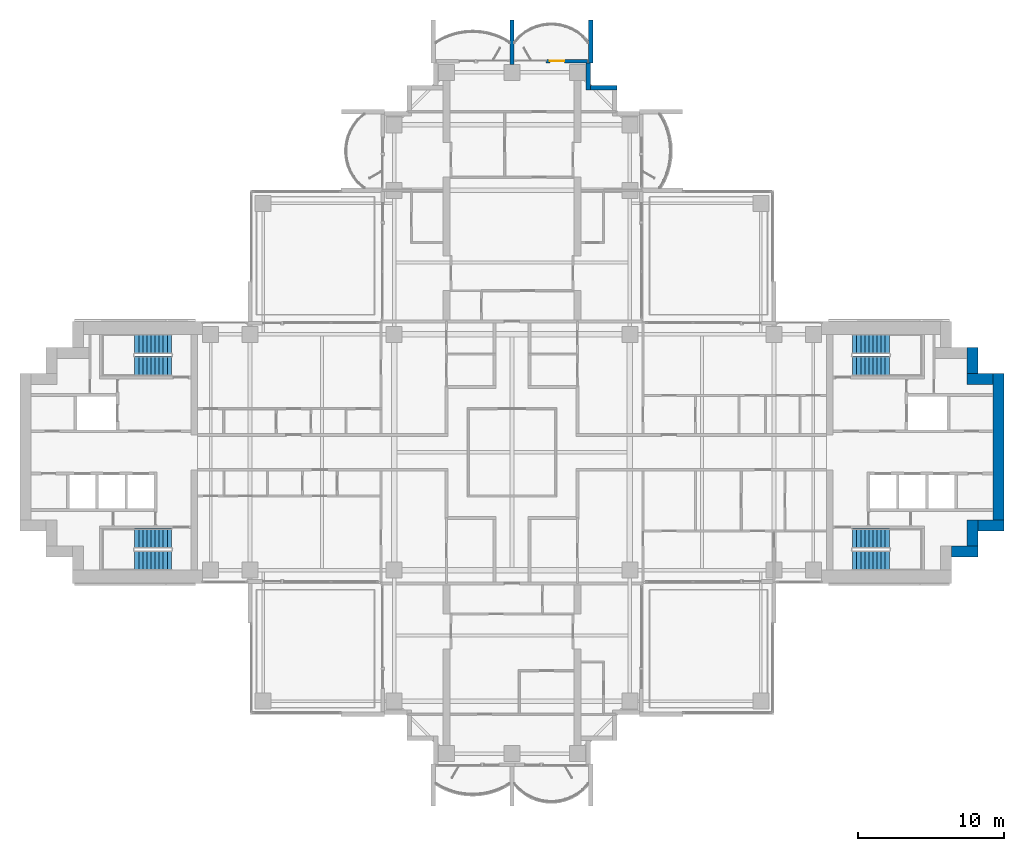
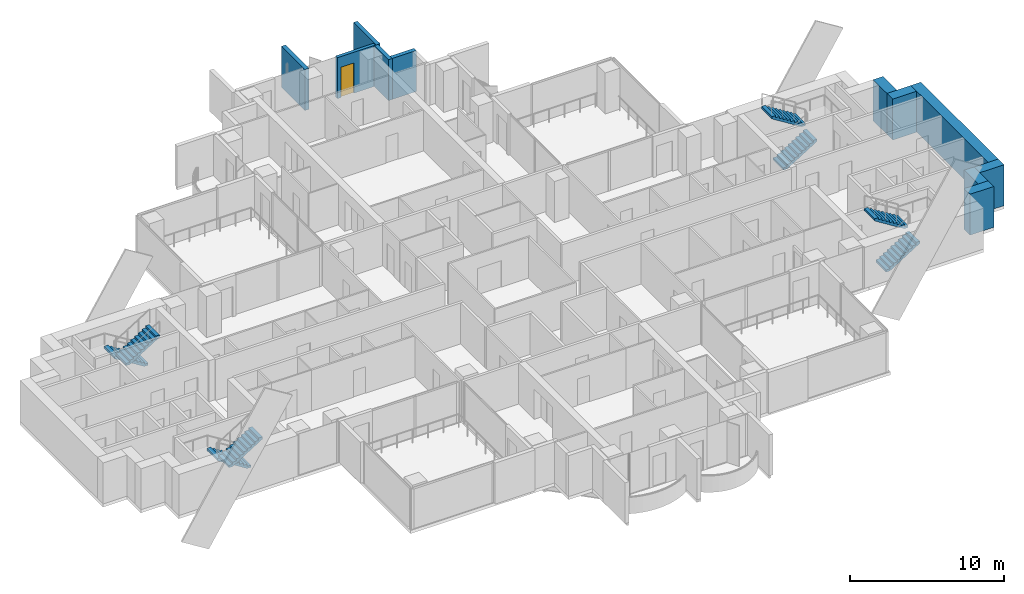
# One storey, part 15 of 19: 11 walls, 8 stair flights, 1 door, 1 opening, 4 elements without a shape of their own.
"""IFC4 building model written with IfcOpenShell, lengths in metres."""

from ifc_helpers import new_model, si_unit, direction, frame, frame_2d, origin, place, context, subcontext, project, spatial, polyline, rectangle, outline, extrude, material, layer, layer_set, type_object, element, fill, aggregate, save


model = new_model("IFC4")

# Units and contexts
model_context = context("Model", 3, precision=1e-05, world=origin(), true_north=direction((0.0, 1.0)))
body_context = subcontext(model_context, "Body", "Model", "MODEL_VIEW")
ifc_project = project(units=[si_unit("LENGTHUNIT", "METRE"), si_unit("AREAUNIT", "SQUARE_METRE"), si_unit("VOLUMEUNIT", "CUBIC_METRE"), si_unit("PLANEANGLEUNIT", "RADIAN"), si_unit("MASSUNIT", "GRAM", prefix="KILO")], contexts=[model_context])

# Site, building, storey
site_placement = place(None, origin())
site = spatial("IfcSite", under=ifc_project, at=site_placement, CompositionType="ELEMENT")
building_placement = place(site_placement, origin())
building = spatial("IfcBuilding", under=site, at=building_placement, Name="Perihelion Cross Residences", CompositionType="ELEMENT")
storey_placement = place(building_placement, frame((0.0, 0.0, 105.89990234375)))
storey = spatial("IfcBuildingStorey", under=building, at=storey_placement, Name="L24", CompositionType="ELEMENT", Elevation=105.89990234375)

# Wall, opening, door
ifc_material_1 = material(Name="Concrete C30/37, bronze-clad", Category="concrete")
ifc_layer_1 = layer(ifc_material_1, 0.25)
ifc_layer_set_1 = layer_set([ifc_layer_1], Name="Bronze-clad pier wall 250")
wall_type_1 = type_object("IfcWallType", Name="Bronze-clad pier wall 250", PredefinedType="SOLIDWALL", material=ifc_layer_set_1)
wall_1_placement = place(storey_placement, frame((5.199951171875, 26.875, 0.0), z_axis=(0.0, 0.0, 1.0), x_axis=(-1.0, 0.0, 0.0)))
wall_1 = element("IfcWall", 1, at=wall_1_placement, inside=storey, type_object=wall_type_1, Name="Wall FW1 L24 north tip north bay 1 pier", PredefinedType="SOLIDWALL", context=body_context, shape_type="SweptSolid", body=[
    extrude(rectangle(XDim=2.849853515625, YDim=0.25, at=frame_2d((1.4248046875, 0.0))), origin(), (0.0, 0.0, 1.0), 3.25),
])
opening_placement = place(wall_1_placement, frame((1.60009765625, 0.0, 0.0)))
opening = element("IfcOpeningElement", 2, at=opening_placement, cuts=wall_1, Name="Opening L24.E04", PredefinedType="OPENING", context=body_context, shape_type="SweptSolid", body=[
    extrude(rectangle(XDim=1.0, YDim=2.39990234375, at=frame_2d((0.5, 1.199951171875))), frame((0.0, 0.135009765625, 0.0), z_axis=(0.0, -1.0, 0.0), x_axis=(1.0, 0.0, 0.0)), (0.0, 0.0, 1.0), 0.27001953125),
])
ifc_material_2 = material(Name="Bronze anodised aluminium, glazed", Category="aluminium")
door_type = type_object("IfcDoorType", Name="Balcony door 1000 x 2400", OperationType="NOTDEFINED", PredefinedType="DOOR", material=ifc_material_2)
door_placement = place(opening_placement, origin())
door = element("IfcDoor", 3, at=door_placement, inside=storey, type_object=door_type, Name="Door L24.E04 north tip north bay 1", OperationType="SINGLE_SWING_LEFT", OverallHeight=2.39990234375, OverallWidth=1.0, PredefinedType="DOOR", context=body_context, shape_type="SweptSolid", body=[
    extrude(rectangle(XDim=1.0, YDim=2.39990234375, at=frame_2d((0.5, 1.199951171875))), frame((0.0, 0.02490234375, 0.0), z_axis=(0.0, -1.0, 0.0), x_axis=(1.0, 0.0, 0.0)), (0.0, 0.0, 1.0), 0.050048828125),
])
fill(opening, door)

# Walls
ifc_material_3 = material(Name="Concrete C30/37, bronze-clad", Category="concrete")
ifc_layer_2 = layer(ifc_material_3, 0.300048828125)
ifc_layer_set_2 = layer_set([ifc_layer_2], Name="Bronze-clad serration wall 300")
wall_type_2 = type_object("IfcWallType", Name="Bronze-clad serration wall 300", PredefinedType="SOLIDWALL", material=ifc_layer_set_2)
wall_2_placement = place(storey_placement, frame((7.199951171875, 25.050048828125, 0.0), z_axis=(0.0, 0.0, 1.0), x_axis=(-1.0, 0.0, 0.0)))
element("IfcWall", 4, at=wall_2_placement, inside=storey, type_object=wall_type_2, Name="Wall SR1 L24 north corner north-east 3", PredefinedType="SOLIDWALL", context=body_context, shape_type="SweptSolid", body=[
    extrude(rectangle(XDim=1.800048828125, YDim=0.300048828125, at=frame_2d((0.89990234375, 0.0))), origin(), (0.0, 0.0, 1.0), 3.25),
])
wall_3_placement = place(storey_placement, frame((5.25, 24.89990234375, 0.0), z_axis=(0.0, 0.0, 1.0), x_axis=(0.0, 1.0, 0.0)))
element("IfcWall", 5, at=wall_3_placement, inside=storey, type_object=wall_type_2, Name="Wall SR1 L24 north corner north-east 4", PredefinedType="SOLIDWALL", context=body_context, shape_type="SweptSolid", body=[
    extrude(rectangle(XDim=1.85009765625, YDim=0.300048828125, at=frame_2d((0.925048828125, 0.0))), origin(), (0.0, 0.0, 1.0), 3.25),
])
ifc_material_4 = material(Name="Concrete C60/75", Category="concrete")
ifc_layer_3 = layer(ifc_material_4, 0.75)
ifc_layer_set_3 = layer_set([ifc_layer_3], Name="Core wall, outer 750")
wall_type_3 = type_object("IfcWallType", Name="Core wall, outer 750", PredefinedType="SHEAR", material=ifc_layer_set_3)
for number, where, z_axis, x_axis, name in (
    (6, (30.199951171875, -6.824951171875, 0.0), (0.0, 0.0, 1.0), (1.0, 0.0, 0.0), "East core core wall, outer"),
    (7, (31.625, -6.449951171875, 0.0), (0.0, 0.0, 1.0), (0.0, 1.0, 0.0), "East core core wall, outer"),
    (8, (32.0, -5.02490234375, 0.0), (0.0, 0.0, 1.0), (1.0, 0.0, 0.0), "East core core wall, outer"),
):
    element("IfcWall", number, at=place(storey_placement, frame(where, z_axis=z_axis, x_axis=x_axis)), inside=storey, type_object=wall_type_3, Name=name, PredefinedType="SHEAR", context=body_context, shape_type="SweptSolid", body=[
        extrude(rectangle(XDim=1.800048828125, YDim=0.75, at=frame_2d((0.89990234375, 0.0))), origin(), (0.0, 0.0, 1.0), 3.25),
    ])
wall_4_placement = place(storey_placement, frame((33.425048828125, -4.64990234375, 0.0), z_axis=(0.0, 0.0, 1.0), x_axis=(0.0, 1.0, 0.0)))
element("IfcWall", 9, at=wall_4_placement, inside=storey, type_object=wall_type_3, Name="East core core wall, outer", PredefinedType="SHEAR", context=body_context, shape_type="SweptSolid", body=[
    extrude(rectangle(XDim=10.0498046875, YDim=0.75, at=frame_2d((5.02490234375, 0.0))), origin(), (0.0, 0.0, 1.0), 3.25),
])
for number, where, z_axis, x_axis, name in (
    (10, (31.25, 5.02490234375, 0.0), (0.0, 0.0, 1.0), (1.0, 0.0, 0.0), "East core core wall, outer"),
    (11, (31.625, 5.39990234375, 0.0), (0.0, 0.0, 1.0), (0.0, 1.0, 0.0), "East core core wall, outer"),
):
    element("IfcWall", number, at=place(storey_placement, frame(where, z_axis=z_axis, x_axis=x_axis)), inside=storey, type_object=wall_type_3, Name=name, PredefinedType="SHEAR", context=body_context, shape_type="SweptSolid", body=[
        extrude(rectangle(XDim=1.800048828125, YDim=0.75, at=frame_2d((0.89990234375, 0.0))), origin(), (0.0, 0.0, 1.0), 3.25),
    ])
ifc_material_5 = material(Name="Precast concrete C50/60", Category="concrete")
ifc_layer_4 = layer(ifc_material_5, 0.300048828125)
ifc_layer_set_4 = layer_set([ifc_layer_4], Name="Precast concrete C50/60 blade wall 300")
wall_type_4 = type_object("IfcWallType", Name="Precast concrete C50/60 blade wall 300", PredefinedType="SOLIDWALL", material=ifc_layer_set_4)
wall_5_placement = place(storey_placement, frame((0.0, 26.64990234375, 0.0), z_axis=(0.0, 0.0, 1.0), x_axis=(0.0, 1.0, 0.0)))
element("IfcWall", 12, at=wall_5_placement, inside=storey, type_object=wall_type_4, Name="Wall BL1 L24 no. 9", PredefinedType="SOLIDWALL", context=body_context, shape_type="SweptSolid", body=[
    extrude(rectangle(XDim=3.050048828125, YDim=0.300048828125, at=frame_2d((1.52490234375, 0.0))), origin(), (0.0, 0.0, 1.0), 3.25),
])
wall_6_placement = place(storey_placement, frame((5.39990234375, 26.75, 0.0), z_axis=(0.0, 0.0, 1.0), x_axis=(0.0, 1.0, 0.0)))
element("IfcWall", 13, at=wall_6_placement, inside=storey, type_object=wall_type_4, Name="Wall BL1 L24 no. 13", PredefinedType="SOLIDWALL", context=body_context, shape_type="SweptSolid", body=[
    extrude(rectangle(XDim=2.949951171875, YDim=0.300048828125, at=frame_2d((1.47509765625, 0.0))), origin(), (0.0, 0.0, 1.0), 3.25),
])

# Stair, stair flights
ifc_material_6 = material(Name="Concrete C40/50", Category="concrete")
stair_type = type_object("IfcStairType", Name="Exit stair, half-turn", PredefinedType="HALF_TURN_STAIR", material=ifc_material_6)
stair_1_placement = place(storey_placement, origin())
stair_1 = element("IfcStair", 14, at=stair_1_placement, inside=storey, type_object=stair_type, Name="L24 East core exit stair 1", PredefinedType="HALF_TURN_STAIR")
ifc_material_7 = material(Name="Concrete C40/50", Category="concrete")
stair_flight_type = type_object("IfcStairFlightType", Name="Exit stair flight", PredefinedType="STRAIGHT", material=ifc_material_7)
stair_flight_1_placement = place(storey_placement, frame((23.39990234375, 5.925048828125, 0.0), z_axis=(0.0, 0.0, 1.0), x_axis=(1.0, 0.0, 0.0)))
stair_flight_1 = element("IfcStairFlight", 15, at=stair_flight_1_placement, type_object=stair_flight_type, Name="ST-E1 flight 1", NumberOfRisers=10, NumberOfTreads=9, PredefinedType="STRAIGHT", RiserHeight=0.175, TreadLength=0.28, context=body_context, shape_type="SweptSolid", body=[
    extrude(outline(polyline([(0.0, 0.0), (0.0, 0.175048828125), (0.280029296875, 0.175048828125), (0.280029296875, 0.35009765625), (0.56005859375, 0.35009765625), (0.56005859375, 0.52490234375), (0.840087890625, 0.52490234375), (0.840087890625, 0.699951171875), (1.1201171875, 0.699951171875), (1.1201171875, 0.875), (1.39990234375, 0.875), (1.39990234375, 1.050048828125), (1.679931640625, 1.050048828125), (1.679931640625, 1.22509765625), (1.9599609375, 1.22509765625), (1.9599609375, 1.39990234375), (2.239990234375, 1.39990234375), (2.239990234375, 1.574951171875), (2.52001953125, 1.574951171875), (2.52001953125, 1.75), (2.52001953125, 1.398193359375), (0.28271484375, 0.0), (0.0, 0.0)])), frame((0.0, 0.675048828125, 0.0), z_axis=(0.0, -1.0, 0.0), x_axis=(1.0, 0.0, 0.0)), (0.0, 0.0, 1.0), 1.35009765625),
])
stair_flight_2_placement = place(storey_placement, frame((25.919921875, 7.425048828125, 1.75), z_axis=(0.0, 0.0, 1.0), x_axis=(-1.0, 0.0, 0.0)))
stair_flight_2 = element("IfcStairFlight", 16, at=stair_flight_2_placement, type_object=stair_flight_type, Name="ST-E1 flight 2", NumberOfRisers=10, NumberOfTreads=9, PredefinedType="STRAIGHT", RiserHeight=0.175, TreadLength=0.28, context=body_context, shape_type="SweptSolid", body=[
    extrude(outline(polyline([(0.0, 0.0), (0.0, 0.175048828125), (0.280029296875, 0.175048828125), (0.280029296875, 0.35009765625), (0.56005859375, 0.35009765625), (0.56005859375, 0.52490234375), (0.840087890625, 0.52490234375), (0.840087890625, 0.699951171875), (1.1201171875, 0.699951171875), (1.1201171875, 0.875), (1.39990234375, 0.875), (1.39990234375, 1.050048828125), (1.679931640625, 1.050048828125), (1.679931640625, 1.22509765625), (1.9599609375, 1.22509765625), (1.9599609375, 1.39990234375), (2.239990234375, 1.39990234375), (2.239990234375, 1.574951171875), (2.52001953125, 1.574951171875), (2.52001953125, 1.75), (2.52001953125, 1.398193359375), (0.28271484375, 0.0), (0.0, 0.0)])), frame((0.0, 0.675048828125, 0.0), z_axis=(0.0, -1.0, 0.0), x_axis=(1.0, 0.0, 0.0)), (0.0, 0.0, 1.0), 1.35009765625),
])
aggregate(stair_1, [stair_flight_1, stair_flight_2])

stair_2_placement = place(storey_placement, origin())
stair_2 = element("IfcStair", 17, at=stair_2_placement, inside=storey, type_object=stair_type, Name="L24 East core exit stair 2", PredefinedType="HALF_TURN_STAIR")
stair_flight_3_placement = place(storey_placement, frame((23.39990234375, -7.425048828125, 0.0), z_axis=(0.0, 0.0, 1.0), x_axis=(1.0, 0.0, 0.0)))
stair_flight_3 = element("IfcStairFlight", 18, at=stair_flight_3_placement, type_object=stair_flight_type, Name="ST-E2 flight 1", NumberOfRisers=10, NumberOfTreads=9, PredefinedType="STRAIGHT", RiserHeight=0.175, TreadLength=0.28, context=body_context, shape_type="SweptSolid", body=[
    extrude(outline(polyline([(0.0, 0.0), (0.0, 0.175048828125), (0.280029296875, 0.175048828125), (0.280029296875, 0.35009765625), (0.56005859375, 0.35009765625), (0.56005859375, 0.52490234375), (0.840087890625, 0.52490234375), (0.840087890625, 0.699951171875), (1.1201171875, 0.699951171875), (1.1201171875, 0.875), (1.39990234375, 0.875), (1.39990234375, 1.050048828125), (1.679931640625, 1.050048828125), (1.679931640625, 1.22509765625), (1.9599609375, 1.22509765625), (1.9599609375, 1.39990234375), (2.239990234375, 1.39990234375), (2.239990234375, 1.574951171875), (2.52001953125, 1.574951171875), (2.52001953125, 1.75), (2.52001953125, 1.398193359375), (0.28271484375, 0.0), (0.0, 0.0)])), frame((0.0, 0.675048828125, 0.0), z_axis=(0.0, -1.0, 0.0), x_axis=(1.0, 0.0, 0.0)), (0.0, 0.0, 1.0), 1.35009765625),
])
stair_flight_4_placement = place(storey_placement, frame((25.919921875, -5.925048828125, 1.75), z_axis=(0.0, 0.0, 1.0), x_axis=(-1.0, 0.0, 0.0)))
stair_flight_4 = element("IfcStairFlight", 19, at=stair_flight_4_placement, type_object=stair_flight_type, Name="ST-E2 flight 2", NumberOfRisers=10, NumberOfTreads=9, PredefinedType="STRAIGHT", RiserHeight=0.175, TreadLength=0.28, context=body_context, shape_type="SweptSolid", body=[
    extrude(outline(polyline([(0.0, 0.0), (0.0, 0.175048828125), (0.280029296875, 0.175048828125), (0.280029296875, 0.35009765625), (0.56005859375, 0.35009765625), (0.56005859375, 0.52490234375), (0.840087890625, 0.52490234375), (0.840087890625, 0.699951171875), (1.1201171875, 0.699951171875), (1.1201171875, 0.875), (1.39990234375, 0.875), (1.39990234375, 1.050048828125), (1.679931640625, 1.050048828125), (1.679931640625, 1.22509765625), (1.9599609375, 1.22509765625), (1.9599609375, 1.39990234375), (2.239990234375, 1.39990234375), (2.239990234375, 1.574951171875), (2.52001953125, 1.574951171875), (2.52001953125, 1.75), (2.52001953125, 1.398193359375), (0.28271484375, 0.0), (0.0, 0.0)])), frame((0.0, 0.675048828125, 0.0), z_axis=(0.0, -1.0, 0.0), x_axis=(1.0, 0.0, 0.0)), (0.0, 0.0, 1.0), 1.35009765625),
])
aggregate(stair_2, [stair_flight_3, stair_flight_4])

stair_3_placement = place(storey_placement, origin())
stair_3 = element("IfcStair", 20, at=stair_3_placement, inside=storey, type_object=stair_type, Name="L24 West core exit stair 1", PredefinedType="HALF_TURN_STAIR")
stair_flight_5_placement = place(storey_placement, frame((-23.39990234375, 7.425048828125, 0.0), z_axis=(0.0, 0.0, 1.0), x_axis=(-1.0, 0.0, 0.0)))
stair_flight_5 = element("IfcStairFlight", 21, at=stair_flight_5_placement, type_object=stair_flight_type, Name="ST-W1 flight 1", NumberOfRisers=10, NumberOfTreads=9, PredefinedType="STRAIGHT", RiserHeight=0.175, TreadLength=0.28, context=body_context, shape_type="SweptSolid", body=[
    extrude(outline(polyline([(0.0, 0.0), (0.0, 0.175048828125), (0.280029296875, 0.175048828125), (0.280029296875, 0.35009765625), (0.56005859375, 0.35009765625), (0.56005859375, 0.52490234375), (0.840087890625, 0.52490234375), (0.840087890625, 0.699951171875), (1.1201171875, 0.699951171875), (1.1201171875, 0.875), (1.39990234375, 0.875), (1.39990234375, 1.050048828125), (1.679931640625, 1.050048828125), (1.679931640625, 1.22509765625), (1.9599609375, 1.22509765625), (1.9599609375, 1.39990234375), (2.239990234375, 1.39990234375), (2.239990234375, 1.574951171875), (2.52001953125, 1.574951171875), (2.52001953125, 1.75), (2.52001953125, 1.398193359375), (0.28271484375, 0.0), (0.0, 0.0)])), frame((0.0, 0.675048828125, 0.0), z_axis=(0.0, -1.0, 0.0), x_axis=(1.0, 0.0, 0.0)), (0.0, 0.0, 1.0), 1.35009765625),
])
stair_flight_6_placement = place(storey_placement, frame((-25.919921875, 5.925048828125, 1.75), z_axis=(0.0, 0.0, 1.0), x_axis=(1.0, 0.0, 0.0)))
stair_flight_6 = element("IfcStairFlight", 22, at=stair_flight_6_placement, type_object=stair_flight_type, Name="ST-W1 flight 2", NumberOfRisers=10, NumberOfTreads=9, PredefinedType="STRAIGHT", RiserHeight=0.175, TreadLength=0.28, context=body_context, shape_type="SweptSolid", body=[
    extrude(outline(polyline([(0.0, 0.0), (0.0, 0.175048828125), (0.280029296875, 0.175048828125), (0.280029296875, 0.35009765625), (0.56005859375, 0.35009765625), (0.56005859375, 0.52490234375), (0.840087890625, 0.52490234375), (0.840087890625, 0.699951171875), (1.1201171875, 0.699951171875), (1.1201171875, 0.875), (1.39990234375, 0.875), (1.39990234375, 1.050048828125), (1.679931640625, 1.050048828125), (1.679931640625, 1.22509765625), (1.9599609375, 1.22509765625), (1.9599609375, 1.39990234375), (2.239990234375, 1.39990234375), (2.239990234375, 1.574951171875), (2.52001953125, 1.574951171875), (2.52001953125, 1.75), (2.52001953125, 1.398193359375), (0.28271484375, 0.0), (0.0, 0.0)])), frame((0.0, 0.675048828125, 0.0), z_axis=(0.0, -1.0, 0.0), x_axis=(1.0, 0.0, 0.0)), (0.0, 0.0, 1.0), 1.35009765625),
])
aggregate(stair_3, [stair_flight_5, stair_flight_6])

stair_4_placement = place(storey_placement, origin())
stair_4 = element("IfcStair", 23, at=stair_4_placement, inside=storey, type_object=stair_type, Name="L24 West core exit stair 2", PredefinedType="HALF_TURN_STAIR")
stair_flight_7_placement = place(storey_placement, frame((-23.39990234375, -5.925048828125, 0.0), z_axis=(0.0, 0.0, 1.0), x_axis=(-1.0, 0.0, 0.0)))
stair_flight_7 = element("IfcStairFlight", 24, at=stair_flight_7_placement, type_object=stair_flight_type, Name="ST-W2 flight 1", NumberOfRisers=10, NumberOfTreads=9, PredefinedType="STRAIGHT", RiserHeight=0.175, TreadLength=0.28, context=body_context, shape_type="SweptSolid", body=[
    extrude(outline(polyline([(0.0, 0.0), (0.0, 0.175048828125), (0.280029296875, 0.175048828125), (0.280029296875, 0.35009765625), (0.56005859375, 0.35009765625), (0.56005859375, 0.52490234375), (0.840087890625, 0.52490234375), (0.840087890625, 0.699951171875), (1.1201171875, 0.699951171875), (1.1201171875, 0.875), (1.39990234375, 0.875), (1.39990234375, 1.050048828125), (1.679931640625, 1.050048828125), (1.679931640625, 1.22509765625), (1.9599609375, 1.22509765625), (1.9599609375, 1.39990234375), (2.239990234375, 1.39990234375), (2.239990234375, 1.574951171875), (2.52001953125, 1.574951171875), (2.52001953125, 1.75), (2.52001953125, 1.398193359375), (0.28271484375, 0.0), (0.0, 0.0)])), frame((0.0, 0.675048828125, 0.0), z_axis=(0.0, -1.0, 0.0), x_axis=(1.0, 0.0, 0.0)), (0.0, 0.0, 1.0), 1.35009765625),
])
stair_flight_8_placement = place(storey_placement, frame((-25.919921875, -7.425048828125, 1.75), z_axis=(0.0, 0.0, 1.0), x_axis=(1.0, 0.0, 0.0)))
stair_flight_8 = element("IfcStairFlight", 25, at=stair_flight_8_placement, type_object=stair_flight_type, Name="ST-W2 flight 2", NumberOfRisers=10, NumberOfTreads=9, PredefinedType="STRAIGHT", RiserHeight=0.175, TreadLength=0.28, context=body_context, shape_type="SweptSolid", body=[
    extrude(outline(polyline([(0.0, 0.0), (0.0, 0.175048828125), (0.280029296875, 0.175048828125), (0.280029296875, 0.35009765625), (0.56005859375, 0.35009765625), (0.56005859375, 0.52490234375), (0.840087890625, 0.52490234375), (0.840087890625, 0.699951171875), (1.1201171875, 0.699951171875), (1.1201171875, 0.875), (1.39990234375, 0.875), (1.39990234375, 1.050048828125), (1.679931640625, 1.050048828125), (1.679931640625, 1.22509765625), (1.9599609375, 1.22509765625), (1.9599609375, 1.39990234375), (2.239990234375, 1.39990234375), (2.239990234375, 1.574951171875), (2.52001953125, 1.574951171875), (2.52001953125, 1.75), (2.52001953125, 1.398193359375), (0.28271484375, 0.0), (0.0, 0.0)])), frame((0.0, 0.675048828125, 0.0), z_axis=(0.0, -1.0, 0.0), x_axis=(1.0, 0.0, 0.0)), (0.0, 0.0, 1.0), 1.35009765625),
])
aggregate(stair_4, [stair_flight_7, stair_flight_8])

save(model, "model.ifc")
